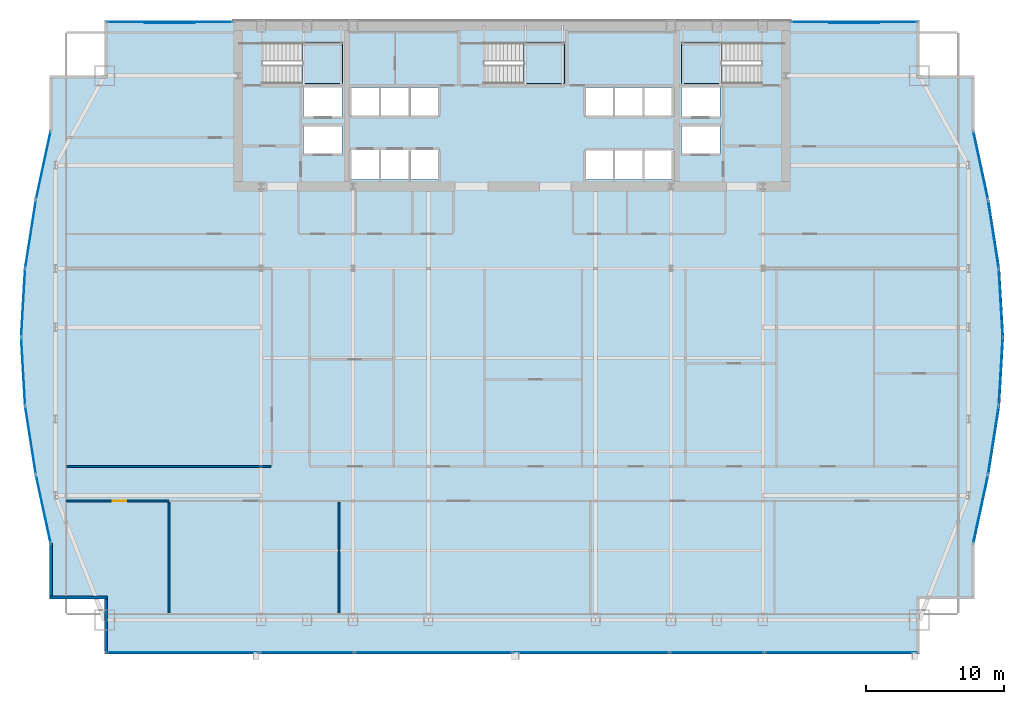
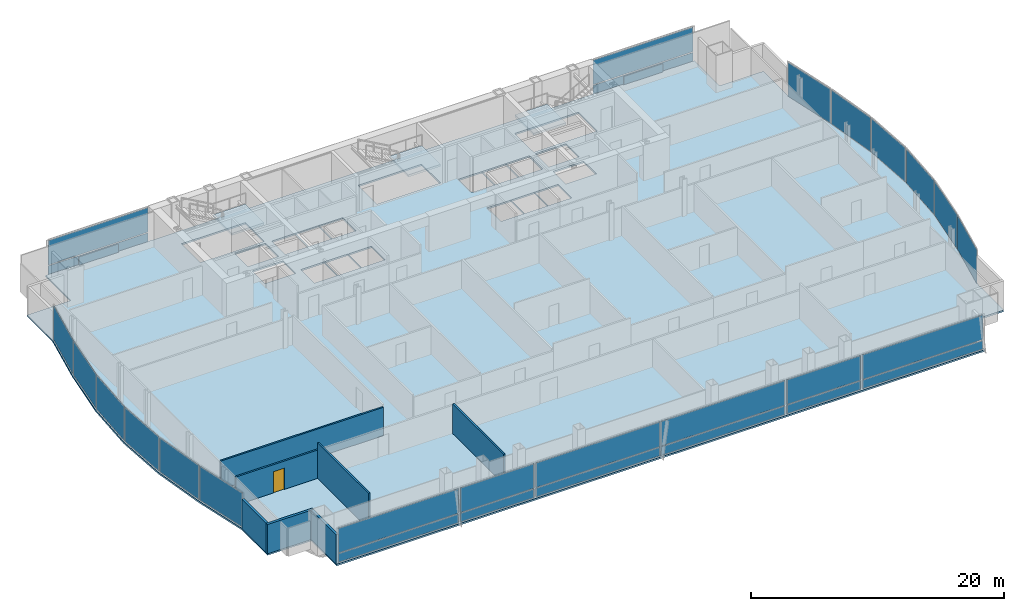
# One storey, part 25 of 32: 30 plates, 7 walls, 4 slabs, 1 door, 1 opening, 22 elements without a shape of their own.
"""IFC4 building model written with IfcOpenShell, lengths in metres."""

from ifc_helpers import new_model, si_unit, direction, frame, frame_2d, origin, origin_2d, place, context, subcontext, project, spatial, polyline, rectangle, outline, extrude, material, layer, layer_set, type_object, element, fill, aggregate, save


model = new_model("IFC4")

# Units and contexts
model_context = context("Model", 3, precision=1e-05, world=origin(), true_north=direction((0.0, 1.0)))
body_context = subcontext(model_context, "Body", "Model", "MODEL_VIEW")
ifc_project = project(units=[si_unit("LENGTHUNIT", "METRE"), si_unit("AREAUNIT", "SQUARE_METRE"), si_unit("VOLUMEUNIT", "CUBIC_METRE"), si_unit("PLANEANGLEUNIT", "RADIAN"), si_unit("MASSUNIT", "GRAM", prefix="KILO")], contexts=[model_context])

# Site, building, storey
site_placement = place(None, origin())
site = spatial("IfcSite", under=ifc_project, at=site_placement, CompositionType="ELEMENT")
building_placement = place(site_placement, origin())
building = spatial("IfcBuilding", under=site, at=building_placement, Name="Khoronbel Lancet Exchange", CompositionType="ELEMENT")
storey_placement = place(building_placement, frame((0.0, 0.0, 111.0)))
storey = spatial("IfcBuildingStorey", under=building, at=storey_placement, Name="L26", CompositionType="ELEMENT", Elevation=111.0)

# Curtain wall, plate
ifc_material_1 = material(Name="Low-E Solar Control Insulating Glass", Category="glass")
curtain_wall_type_1 = type_object("IfcCurtainWallType", Name="CW-4", PredefinedType="NOTDEFINED", material=ifc_material_1)
curtain_wall_1_placement = place(storey_placement, origin())
curtain_wall_1 = element("IfcCurtainWall", 1, at=curtain_wall_1_placement, inside=storey, type_object=curtain_wall_type_1, Name="Unitised curtain wall CW-L26-E05", PredefinedType="NOTDEFINED")
ifc_material_2 = material(Name="Bronze-Anodised Aluminium 6063-T6", Category="aluminium")
ifc_layer_1 = layer(ifc_material_2, 0.050048828125, Name="Bronze-Anodised Aluminium 6063-T6")
ifc_layer_set_1 = layer_set([ifc_layer_1], Name="Bronze-Anodised Aluminium 6063-T6")
plate_type_1 = type_object("IfcPlateType", Name="PLT-CSP1", PredefinedType="SHEET", material=ifc_layer_set_1)
plate_1_placement = place(storey_placement, frame((1.470458984375, 23.213134765625, 0.0849609375), z_axis=(0.0, 0.0, 1.0), x_axis=(-0.155483031933, 0.987838563117, 0.0)))
plate_1 = element("IfcPlate", 2, at=plate_1_placement, type_object=plate_type_1, Name="CW4 panel 1.1", PredefinedType="CURTAIN_PANEL", context=body_context, shape_type="SweptSolid", body=[
    extrude(rectangle(XDim=4.904541015625, YDim=0.0380859375, at=origin_2d()), origin(), (0.0, 0.0, 1.0), 3.27001953125),
])
aggregate(curtain_wall_1, [plate_1])

curtain_wall_2_placement = place(storey_placement, origin())
curtain_wall_2 = element("IfcCurtainWall", 3, at=curtain_wall_2_placement, inside=storey, type_object=curtain_wall_type_1, Name="Unitised curtain wall CW-L26-E06", PredefinedType="NOTDEFINED")
plate_2_placement = place(storey_placement, frame((0.933837890625, 28.204833984375, 0.0849609375), z_axis=(0.0, 0.0, 1.0), x_axis=(-0.057515245397, 0.998344628145, 0.0)))
plate_2 = element("IfcPlate", 4, at=plate_2_placement, type_object=plate_type_1, Name="CW4 panel 1.1", PredefinedType="CURTAIN_PANEL", context=body_context, shape_type="SweptSolid", body=[
    extrude(rectangle(XDim=4.8486328125, YDim=0.0380859375, at=origin_2d()), origin(), (0.0, 0.0, 1.0), 3.27001953125),
])
aggregate(curtain_wall_2, [plate_2])

curtain_wall_3_placement = place(storey_placement, origin())
curtain_wall_3 = element("IfcCurtainWall", 5, at=curtain_wall_3_placement, inside=storey, type_object=curtain_wall_type_1, Name="Unitised curtain wall CW-L26-E07", PredefinedType="NOTDEFINED")
plate_3_placement = place(storey_placement, frame((0.933837890625, 33.1953125, 0.0849609375), z_axis=(0.0, 0.0, 1.0), x_axis=(0.057515245397, 0.998344628145, 0.0)))
plate_3 = element("IfcPlate", 6, at=plate_3_placement, type_object=plate_type_1, Name="CW4 panel 1.1", PredefinedType="CURTAIN_PANEL", context=body_context, shape_type="SweptSolid", body=[
    extrude(rectangle(XDim=4.8486328125, YDim=0.0380859375, at=origin_2d()), origin(), (0.0, 0.0, 1.0), 3.27001953125),
])
aggregate(curtain_wall_3, [plate_3])

curtain_wall_4_placement = place(storey_placement, origin())
curtain_wall_4 = element("IfcCurtainWall", 7, at=curtain_wall_4_placement, inside=storey, type_object=curtain_wall_type_1, Name="Unitised curtain wall CW-L26-E08", PredefinedType="NOTDEFINED")
plate_4_placement = place(storey_placement, frame((1.470458984375, 38.18701171875, 0.0849609375), z_axis=(0.0, 0.0, 1.0), x_axis=(0.155483031933, 0.987838563117, 0.0)))
plate_4 = element("IfcPlate", 8, at=plate_4_placement, type_object=plate_type_1, Name="CW4 panel 1.1", PredefinedType="CURTAIN_PANEL", context=body_context, shape_type="SweptSolid", body=[
    extrude(rectangle(XDim=4.904541015625, YDim=0.0380859375, at=origin_2d()), origin(), (0.0, 0.0, 1.0), 3.27001953125),
])
aggregate(curtain_wall_4, [plate_4])

curtain_wall_type_2 = type_object("IfcCurtainWallType", Name="CW-2", PredefinedType="NOTDEFINED", material=ifc_material_1)
curtain_wall_5_placement = place(storey_placement, origin())
curtain_wall_5 = element("IfcCurtainWall", 9, at=curtain_wall_5_placement, inside=storey, type_object=curtain_wall_type_2, Name="Unitised curtain wall CW-L26-NWFLK", PredefinedType="NOTDEFINED")
plate_5_placement = place(storey_placement, frame((11.580078125, 53.550048828125, 0.0498046875), z_axis=(0.0, 0.0, 1.0), x_axis=(-1.0, 0.0, 0.0)))
plate_5 = element("IfcPlate", 10, at=plate_5_placement, type_object=plate_type_1, Name="Insulated bronze spandrel cassette CW-L26-NWFLK", PredefinedType="SHEET", context=body_context, shape_type="SweptSolid", body=[
    extrude(rectangle(XDim=3.60009765625, YDim=0.050048828125, at=origin_2d()), origin(), (0.0, 0.0, 1.0), 0.800048828125),
])

curtain_wall_6_placement = place(storey_placement, origin())
curtain_wall_6 = element("IfcCurtainWall", 11, at=curtain_wall_6_placement, inside=storey, type_object=curtain_wall_type_2, Name="Unitised curtain wall CW-L26-NEFLK", PredefinedType="NOTDEFINED")
plate_6_placement = place(storey_placement, frame((61.320068359375, 53.550048828125, 0.0498046875), z_axis=(0.0, 0.0, 1.0), x_axis=(-1.0, 0.0, 0.0)))
plate_6 = element("IfcPlate", 12, at=plate_6_placement, type_object=plate_type_1, Name="Insulated bronze spandrel cassette CW-L26-NEFLK", PredefinedType="SHEET", context=body_context, shape_type="SweptSolid", body=[
    extrude(rectangle(XDim=3.60009765625, YDim=0.050048828125, at=origin_2d()), origin(), (0.0, 0.0, 1.0), 0.800048828125),
])

curtain_wall_7_placement = place(storey_placement, origin())
curtain_wall_7 = element("IfcCurtainWall", 13, at=curtain_wall_7_placement, inside=storey, type_object=curtain_wall_type_1, Name="Unitised curtain wall CW-L26-E18", PredefinedType="NOTDEFINED")
plate_7_placement = place(storey_placement, frame((71.429443359375, 38.18701171875, 0.0849609375), z_axis=(0.0, 0.0, 1.0), x_axis=(0.155483031933, -0.987838563117, 0.0)))
plate_7 = element("IfcPlate", 14, at=plate_7_placement, type_object=plate_type_1, Name="CW4 panel 1.1", PredefinedType="CURTAIN_PANEL", context=body_context, shape_type="SweptSolid", body=[
    extrude(rectangle(XDim=4.904541015625, YDim=0.0380859375, at=origin_2d()), origin(), (0.0, 0.0, 1.0), 3.27001953125),
])
aggregate(curtain_wall_7, [plate_7])

curtain_wall_8_placement = place(storey_placement, origin())
curtain_wall_8 = element("IfcCurtainWall", 15, at=curtain_wall_8_placement, inside=storey, type_object=curtain_wall_type_1, Name="Unitised curtain wall CW-L26-E19", PredefinedType="NOTDEFINED")
plate_8_placement = place(storey_placement, frame((71.966064453125, 33.1953125, 0.0849609375), z_axis=(0.0, 0.0, 1.0), x_axis=(0.057515245397, -0.998344628145, 0.0)))
plate_8 = element("IfcPlate", 16, at=plate_8_placement, type_object=plate_type_1, Name="CW4 panel 1.1", PredefinedType="CURTAIN_PANEL", context=body_context, shape_type="SweptSolid", body=[
    extrude(rectangle(XDim=4.8486328125, YDim=0.0380859375, at=origin_2d()), origin(), (0.0, 0.0, 1.0), 3.27001953125),
])
aggregate(curtain_wall_8, [plate_8])

curtain_wall_9_placement = place(storey_placement, origin())
curtain_wall_9 = element("IfcCurtainWall", 17, at=curtain_wall_9_placement, inside=storey, type_object=curtain_wall_type_1, Name="Unitised curtain wall CW-L26-E20", PredefinedType="NOTDEFINED")
plate_9_placement = place(storey_placement, frame((71.966064453125, 28.204833984375, 0.0849609375), z_axis=(0.0, 0.0, 1.0), x_axis=(-0.057515245397, -0.998344628145, 0.0)))
plate_9 = element("IfcPlate", 18, at=plate_9_placement, type_object=plate_type_1, Name="CW4 panel 1.1", PredefinedType="CURTAIN_PANEL", context=body_context, shape_type="SweptSolid", body=[
    extrude(rectangle(XDim=4.8486328125, YDim=0.0380859375, at=origin_2d()), origin(), (0.0, 0.0, 1.0), 3.27001953125),
])
aggregate(curtain_wall_9, [plate_9])

curtain_wall_10_placement = place(storey_placement, origin())
curtain_wall_10 = element("IfcCurtainWall", 19, at=curtain_wall_10_placement, inside=storey, type_object=curtain_wall_type_1, Name="Unitised curtain wall CW-L26-E21", PredefinedType="NOTDEFINED")
plate_10_placement = place(storey_placement, frame((71.429443359375, 23.213134765625, 0.0849609375), z_axis=(0.0, 0.0, 1.0), x_axis=(-0.155483031933, -0.987838563117, 0.0)))
plate_10 = element("IfcPlate", 20, at=plate_10_placement, type_object=plate_type_1, Name="CW4 panel 1.1", PredefinedType="CURTAIN_PANEL", context=body_context, shape_type="SweptSolid", body=[
    extrude(rectangle(XDim=4.904541015625, YDim=0.0380859375, at=origin_2d()), origin(), (0.0, 0.0, 1.0), 3.27001953125),
])
aggregate(curtain_wall_10, [plate_10])

# Curtain wall, plates
curtain_wall_11_placement = place(storey_placement, origin())
curtain_wall_11 = element("IfcCurtainWall", 21, at=curtain_wall_11_placement, inside=storey, type_object=curtain_wall_type_2, Name="Unitised curtain wall CW-L26-SWB", PredefinedType="NOTDEFINED")
plate_11_placement = place(storey_placement, frame((21.550048828125, 7.7900390625, 0.0849609375), z_axis=(0.0, 0.0, 1.0), x_axis=(1.0, 0.0, 0.0)))
plate_11 = element("IfcPlate", 22, at=plate_11_placement, type_object=plate_type_1, Name="CW2 panel 1.1", PredefinedType="CURTAIN_PANEL", context=body_context, shape_type="SweptSolid", body=[
    extrude(rectangle(XDim=6.72998046875, YDim=0.0380859375, at=origin_2d()), origin(), (0.0, 0.0, 1.0), 0.822509765625),
])
plate_12_placement = place(storey_placement, frame((21.550048828125, 7.7900390625, 0.99267578125), z_axis=(0.0, 0.0, 1.0), x_axis=(1.0, 0.0, 0.0)))
plate_12 = element("IfcPlate", 23, at=plate_12_placement, type_object=plate_type_1, Name="CW2 panel 1.2", PredefinedType="CURTAIN_PANEL", context=body_context, shape_type="SweptSolid", body=[
    extrude(rectangle(XDim=6.72998046875, YDim=0.0380859375, at=origin_2d()), origin(), (0.0, 0.0, 1.0), 2.362548828125),
])
aggregate(curtain_wall_11, [plate_11, plate_12])

curtain_wall_12_placement = place(storey_placement, origin())
curtain_wall_12 = element("IfcCurtainWall", 24, at=curtain_wall_12_placement, inside=storey, type_object=curtain_wall_type_2, Name="Unitised curtain wall CW-L26-SEB", PredefinedType="NOTDEFINED")
plate_13_placement = place(storey_placement, frame((51.35009765625, 7.7900390625, 0.0849609375), z_axis=(0.0, 0.0, 1.0), x_axis=(1.0, 0.0, 0.0)))
plate_13 = element("IfcPlate", 25, at=plate_13_placement, type_object=plate_type_1, Name="CW2 panel 1.1", PredefinedType="CURTAIN_PANEL", context=body_context, shape_type="SweptSolid", body=[
    extrude(rectangle(XDim=6.72998046875, YDim=0.0380859375, at=origin_2d()), origin(), (0.0, 0.0, 1.0), 0.822509765625),
])
plate_14_placement = place(storey_placement, frame((51.35009765625, 7.7900390625, 0.99267578125), z_axis=(0.0, 0.0, 1.0), x_axis=(1.0, 0.0, 0.0)))
plate_14 = element("IfcPlate", 26, at=plate_14_placement, type_object=plate_type_1, Name="CW2 panel 1.2", PredefinedType="CURTAIN_PANEL", context=body_context, shape_type="SweptSolid", body=[
    extrude(rectangle(XDim=6.72998046875, YDim=0.0380859375, at=origin_2d()), origin(), (0.0, 0.0, 1.0), 2.362548828125),
])
aggregate(curtain_wall_12, [plate_13, plate_14])

# Plate
ifc_layer_2 = layer(ifc_material_1, 0.035888671875, Name="Low-E Solar Control Insulating Glass")
ifc_layer_set_2 = layer_set([ifc_layer_2], Name="Low-E Solar Control Insulating Glass")
plate_type_2 = type_object("IfcPlateType", Name="PLT-CWP1", PredefinedType="CURTAIN_PANEL", material=ifc_layer_set_2)
plate_15_placement = place(storey_placement, frame((11.580078125, 53.610107421875, 0.0849609375), z_axis=(0.0, 0.0, 1.0), x_axis=(-1.0, 0.0, 0.0)))
plate_15 = element("IfcPlate", 27, at=plate_15_placement, type_object=plate_type_2, Name="CW2 panel 1.1", PredefinedType="CURTAIN_PANEL", context=body_context, shape_type="SweptSolid", body=[
    extrude(rectangle(XDim=9.110107421875, YDim=0.0380859375, at=origin_2d()), origin(), (0.0, 0.0, 1.0), 0.822509765625),
])

plate_16_placement = place(storey_placement, frame((11.580078125, 53.610107421875, 0.99267578125), z_axis=(0.0, 0.0, 1.0), x_axis=(-1.0, 0.0, 0.0)))
plate_16 = element("IfcPlate", 28, at=plate_16_placement, type_object=plate_type_2, Name="CW2 panel 1.2", PredefinedType="CURTAIN_PANEL", context=body_context, shape_type="SweptSolid", body=[
    extrude(rectangle(XDim=9.110107421875, YDim=0.0380859375, at=origin_2d()), origin(), (0.0, 0.0, 1.0), 2.362548828125),
])

aggregate(curtain_wall_5, [plate_15, plate_16, plate_5])

plate_17_placement = place(storey_placement, frame((61.320068359375, 53.610107421875, 0.0849609375), z_axis=(0.0, 0.0, 1.0), x_axis=(-1.0, 0.0, 0.0)))
plate_17 = element("IfcPlate", 29, at=plate_17_placement, type_object=plate_type_2, Name="CW2 panel 1.1", PredefinedType="CURTAIN_PANEL", context=body_context, shape_type="SweptSolid", body=[
    extrude(rectangle(XDim=9.110107421875, YDim=0.0380859375, at=origin_2d()), origin(), (0.0, 0.0, 1.0), 0.822509765625),
])

plate_18_placement = place(storey_placement, frame((61.320068359375, 53.610107421875, 0.99267578125), z_axis=(0.0, 0.0, 1.0), x_axis=(-1.0, 0.0, 0.0)))
plate_18 = element("IfcPlate", 30, at=plate_18_placement, type_object=plate_type_2, Name="CW2 panel 1.2", PredefinedType="CURTAIN_PANEL", context=body_context, shape_type="SweptSolid", body=[
    extrude(rectangle(XDim=9.110107421875, YDim=0.0380859375, at=origin_2d()), origin(), (0.0, 0.0, 1.0), 2.362548828125),
])

aggregate(curtain_wall_6, [plate_17, plate_18, plate_6])

# Curtain wall, plates
curtain_wall_13_placement = place(storey_placement, origin())
curtain_wall_13 = element("IfcCurtainWall", 31, at=curtain_wall_13_placement, inside=storey, type_object=curtain_wall_type_2, Name="Unitised curtain wall CW-L26-SWV", PredefinedType="NOTDEFINED")
plate_19_placement = place(storey_placement, frame((12.52001953125, 7.7900390625, 0.0849609375), z_axis=(0.0, 0.0, 1.0), x_axis=(1.0, 0.0, 0.0)))
plate_19 = element("IfcPlate", 32, at=plate_19_placement, type_object=plate_type_2, Name="CW2 panel 1.1", PredefinedType="CURTAIN_PANEL", context=body_context, shape_type="SweptSolid", body=[
    extrude(rectangle(XDim=10.989990234375, YDim=0.0380859375, at=origin_2d()), origin(), (0.0, 0.0, 1.0), 0.822509765625),
])
plate_20_placement = place(storey_placement, frame((12.52001953125, 7.7900390625, 0.99267578125), z_axis=(0.0, 0.0, 1.0), x_axis=(1.0, 0.0, 0.0)))
plate_20 = element("IfcPlate", 33, at=plate_20_placement, type_object=plate_type_2, Name="CW2 panel 1.2", PredefinedType="CURTAIN_PANEL", context=body_context, shape_type="SweptSolid", body=[
    extrude(rectangle(XDim=10.989990234375, YDim=0.0380859375, at=origin_2d()), origin(), (0.0, 0.0, 1.0), 2.362548828125),
])
aggregate(curtain_wall_13, [plate_19, plate_20])

curtain_wall_14_placement = place(storey_placement, origin())
curtain_wall_14 = element("IfcCurtainWall", 34, at=curtain_wall_14_placement, inside=storey, type_object=curtain_wall_type_2, Name="Unitised curtain wall CW-L26-SCV", PredefinedType="NOTDEFINED")
plate_21_placement = place(storey_placement, frame((30.746337890625, 7.7900390625, 0.0849609375), z_axis=(0.0, 0.0, 1.0), x_axis=(1.0, 0.0, 0.0)))
plate_21 = element("IfcPlate", 35, at=plate_21_placement, type_object=plate_type_2, Name="CW2 panel 1.1", PredefinedType="CURTAIN_PANEL", context=body_context, shape_type="SweptSolid", body=[
    extrude(rectangle(XDim=11.322509765625, YDim=0.0380859375, at=origin_2d()), origin(), (0.0, 0.0, 1.0), 0.822509765625),
])
plate_22_placement = place(storey_placement, frame((30.746337890625, 7.7900390625, 0.99267578125), z_axis=(0.0, 0.0, 1.0), x_axis=(1.0, 0.0, 0.0)))
plate_22 = element("IfcPlate", 36, at=plate_22_placement, type_object=plate_type_2, Name="CW2 panel 1.2", PredefinedType="CURTAIN_PANEL", context=body_context, shape_type="SweptSolid", body=[
    extrude(rectangle(XDim=11.322509765625, YDim=0.0380859375, at=origin_2d()), origin(), (0.0, 0.0, 1.0), 2.362548828125),
])
plate_23_placement = place(storey_placement, frame((42.15380859375, 7.7900390625, 0.0849609375), z_axis=(0.0, 0.0, 1.0), x_axis=(1.0, 0.0, 0.0)))
plate_23 = element("IfcPlate", 37, at=plate_23_placement, type_object=plate_type_2, Name="CW2 panel 2.1", PredefinedType="CURTAIN_PANEL", context=body_context, shape_type="SweptSolid", body=[
    extrude(rectangle(XDim=11.322509765625, YDim=0.0380859375, at=origin_2d()), origin(), (0.0, 0.0, 1.0), 0.822509765625),
])
plate_24_placement = place(storey_placement, frame((42.15380859375, 7.7900390625, 0.99267578125), z_axis=(0.0, 0.0, 1.0), x_axis=(1.0, 0.0, 0.0)))
plate_24 = element("IfcPlate", 38, at=plate_24_placement, type_object=plate_type_2, Name="CW2 panel 2.2", PredefinedType="CURTAIN_PANEL", context=body_context, shape_type="SweptSolid", body=[
    extrude(rectangle(XDim=11.322509765625, YDim=0.0380859375, at=origin_2d()), origin(), (0.0, 0.0, 1.0), 2.362548828125),
])
aggregate(curtain_wall_14, [plate_21, plate_22, plate_23, plate_24])

curtain_wall_15_placement = place(storey_placement, origin())
curtain_wall_15 = element("IfcCurtainWall", 39, at=curtain_wall_15_placement, inside=storey, type_object=curtain_wall_type_2, Name="Unitised curtain wall CW-L26-SEV", PredefinedType="NOTDEFINED")
plate_25_placement = place(storey_placement, frame((60.3798828125, 7.7900390625, 0.0849609375), z_axis=(0.0, 0.0, 1.0), x_axis=(1.0, 0.0, 0.0)))
plate_25 = element("IfcPlate", 40, at=plate_25_placement, type_object=plate_type_2, Name="CW2 panel 1.1", PredefinedType="CURTAIN_PANEL", context=body_context, shape_type="SweptSolid", body=[
    extrude(rectangle(XDim=10.989990234375, YDim=0.0380859375, at=origin_2d()), origin(), (0.0, 0.0, 1.0), 0.822509765625),
])
plate_26_placement = place(storey_placement, frame((60.3798828125, 7.7900390625, 0.99267578125), z_axis=(0.0, 0.0, 1.0), x_axis=(1.0, 0.0, 0.0)))
plate_26 = element("IfcPlate", 41, at=plate_26_placement, type_object=plate_type_2, Name="CW2 panel 1.2", PredefinedType="CURTAIN_PANEL", context=body_context, shape_type="SweptSolid", body=[
    extrude(rectangle(XDim=10.989990234375, YDim=0.0380859375, at=origin_2d()), origin(), (0.0, 0.0, 1.0), 2.362548828125),
])
aggregate(curtain_wall_15, [plate_25, plate_26])

# Curtain wall, plate
curtain_wall_16_placement = place(storey_placement, origin())
curtain_wall_16 = element("IfcCurtainWall", 42, at=curtain_wall_16_placement, inside=storey, type_object=curtain_wall_type_1, Name="Unitised curtain wall CW-L26-E04", PredefinedType="NOTDEFINED")
ifc_material_3 = material(Name="Ceramic-Fritted Laminated Insulating Glass", Category="glass")
ifc_layer_3 = layer(ifc_material_3, 0.0419921875, Name="Ceramic-Fritted Laminated Insulating Glass")
ifc_layer_set_3 = layer_set([ifc_layer_3], Name="Ceramic-Fritted Laminated Insulating Glass")
plate_type_3 = type_object("IfcPlateType", Name="PLT-CWP2", PredefinedType="CURTAIN_PANEL", material=ifc_layer_set_3)
plate_27_placement = place(storey_placement, frame((2.40185546875, 18.213134765625, 0.0849609375), z_axis=(0.0, 0.0, 1.0), x_axis=(-0.210199789006, 0.977658451967, 0.0)))
plate_27 = element("IfcPlate", 43, at=plate_27_placement, type_object=plate_type_3, Name="CW4 panel 1.1", PredefinedType="CURTAIN_PANEL", context=body_context, shape_type="SweptSolid", body=[
    extrude(rectangle(XDim=4.971435546875, YDim=0.0380859375, at=origin_2d()), origin(), (0.0, 0.0, 1.0), 3.27001953125),
])
aggregate(curtain_wall_16, [plate_27])

curtain_wall_17_placement = place(storey_placement, origin())
curtain_wall_17 = element("IfcCurtainWall", 44, at=curtain_wall_17_placement, inside=storey, type_object=curtain_wall_type_1, Name="Unitised curtain wall CW-L26-E09", PredefinedType="NOTDEFINED")
plate_28_placement = place(storey_placement, frame((2.40185546875, 43.18701171875, 0.0849609375), z_axis=(0.0, 0.0, 1.0), x_axis=(0.210199789006, 0.977658451967, 0.0)))
plate_28 = element("IfcPlate", 45, at=plate_28_placement, type_object=plate_type_3, Name="CW4 panel 1.1", PredefinedType="CURTAIN_PANEL", context=body_context, shape_type="SweptSolid", body=[
    extrude(rectangle(XDim=4.971435546875, YDim=0.0380859375, at=origin_2d()), origin(), (0.0, 0.0, 1.0), 3.27001953125),
])
aggregate(curtain_wall_17, [plate_28])

curtain_wall_18_placement = place(storey_placement, origin())
curtain_wall_18 = element("IfcCurtainWall", 46, at=curtain_wall_18_placement, inside=storey, type_object=curtain_wall_type_1, Name="Unitised curtain wall CW-L26-E17", PredefinedType="NOTDEFINED")
plate_29_placement = place(storey_placement, frame((70.498291015625, 43.18701171875, 0.0849609375), z_axis=(0.0, 0.0, 1.0), x_axis=(0.210199789006, -0.977658451967, 0.0)))
plate_29 = element("IfcPlate", 47, at=plate_29_placement, type_object=plate_type_3, Name="CW4 panel 1.1", PredefinedType="CURTAIN_PANEL", context=body_context, shape_type="SweptSolid", body=[
    extrude(rectangle(XDim=4.971435546875, YDim=0.0380859375, at=origin_2d()), origin(), (0.0, 0.0, 1.0), 3.27001953125),
])
aggregate(curtain_wall_18, [plate_29])

curtain_wall_19_placement = place(storey_placement, origin())
curtain_wall_19 = element("IfcCurtainWall", 48, at=curtain_wall_19_placement, inside=storey, type_object=curtain_wall_type_1, Name="Unitised curtain wall CW-L26-E22", PredefinedType="NOTDEFINED")
plate_30_placement = place(storey_placement, frame((70.498291015625, 18.213134765625, 0.0849609375), z_axis=(0.0, 0.0, 1.0), x_axis=(-0.210199789006, -0.977658451967, 0.0)))
plate_30 = element("IfcPlate", 49, at=plate_30_placement, type_object=plate_type_3, Name="CW4 panel 1.1", PredefinedType="CURTAIN_PANEL", context=body_context, shape_type="SweptSolid", body=[
    extrude(rectangle(XDim=4.971435546875, YDim=0.0380859375, at=origin_2d()), origin(), (0.0, 0.0, 1.0), 3.27001953125),
])
aggregate(curtain_wall_19, [plate_30])

# Slab
ifc_material_4 = material(Name="Concrete C40/50", Category="concrete")
ifc_layer_4 = layer(ifc_material_4, 0.159912109375, Name="Concrete C40/50")
ifc_layer_set_4 = layer_set([ifc_layer_4], Name="Concrete C40/50")
slab_type_1 = type_object("IfcSlabType", Name="SL-FL160", PredefinedType="FLOOR", material=ifc_layer_set_4)
slab_1_placement = place(storey_placement, frame((0.0, 0.0, -0.159912109375)))
element("IfcSlab", 50, at=slab_1_placement, inside=storey, type_object=slab_type_1, Name="Level L26 composite structural floor slab", PredefinedType="FLOOR", context=body_context, shape_type="SweptSolid", body=[
    extrude(outline(polyline([(6.85009765625, 7.699951171875), (66.050048828125, 7.699951171875), (66.050048828125, 11.699951171875), (70.050048828125, 11.699951171875), (70.050048828125, 15.699951171875), (71.125, 20.699951171875), (71.912109375, 25.699951171875), (72.199951171875, 30.699951171875), (71.912109375, 35.699951171875), (71.125, 40.699951171875), (70.050048828125, 45.699951171875), (70.050048828125, 49.699951171875), (66.050048828125, 49.699951171875), (66.050048828125, 53.699951171875), (6.85009765625, 53.699951171875), (6.85009765625, 49.699951171875), (2.85009765625, 49.699951171875), (2.85009765625, 45.699951171875), (1.77490234375, 40.699951171875), (0.988037109375, 35.699951171875), (0.699951171875, 30.699951171875), (0.988037109375, 25.699951171875), (1.77490234375, 20.699951171875), (2.85009765625, 15.699951171875), (2.85009765625, 11.699951171875), (6.85009765625, 11.699951171875), (6.85009765625, 7.699951171875)]), holes=[polyline([(18.324951171875, 49.1201171875), (24.14990234375, 49.1201171875), (24.14990234375, 52.10009765625), (18.324951171875, 52.10009765625), (18.324951171875, 49.1201171875)]), polyline([(48.75, 49.1201171875), (54.574951171875, 49.1201171875), (54.574951171875, 52.10009765625), (48.75, 52.10009765625), (48.75, 49.1201171875)]), polyline([(34.425048828125, 49.1201171875), (40.25, 49.1201171875), (40.25, 52.10009765625), (34.425048828125, 52.10009765625), (34.425048828125, 49.1201171875)]), polyline([(24.699951171875, 46.75), (26.840087890625, 46.75), (26.840087890625, 48.85009765625), (24.699951171875, 48.85009765625), (24.699951171875, 46.75)]), polyline([(26.860107421875, 46.75), (29.0, 46.75), (29.0, 48.85009765625), (26.860107421875, 48.85009765625), (26.860107421875, 46.75)]), polyline([(29.02001953125, 46.75), (31.159912109375, 46.75), (31.159912109375, 48.85009765625), (29.02001953125, 48.85009765625), (29.02001953125, 46.75)]), polyline([(24.699951171875, 42.14990234375), (26.840087890625, 42.14990234375), (26.840087890625, 44.300048828125), (24.699951171875, 44.300048828125), (24.699951171875, 42.14990234375)]), polyline([(26.860107421875, 42.14990234375), (29.0, 42.14990234375), (29.0, 44.300048828125), (26.860107421875, 44.300048828125), (26.860107421875, 42.14990234375)]), polyline([(29.02001953125, 42.14990234375), (31.159912109375, 42.14990234375), (31.159912109375, 44.300048828125), (29.02001953125, 44.300048828125), (29.02001953125, 42.14990234375)]), polyline([(41.739990234375, 46.75), (43.8798828125, 46.75), (43.8798828125, 48.85009765625), (41.739990234375, 48.85009765625), (41.739990234375, 46.75)]), polyline([(43.89990234375, 46.75), (46.0400390625, 46.75), (46.0400390625, 48.85009765625), (43.89990234375, 48.85009765625), (43.89990234375, 46.75)]), polyline([(46.06005859375, 46.75), (48.199951171875, 46.75), (48.199951171875, 48.85009765625), (46.06005859375, 48.85009765625), (46.06005859375, 46.75)]), polyline([(41.739990234375, 42.14990234375), (43.8798828125, 42.14990234375), (43.8798828125, 44.300048828125), (41.739990234375, 44.300048828125), (41.739990234375, 42.14990234375)]), polyline([(43.89990234375, 42.14990234375), (46.0400390625, 42.14990234375), (46.0400390625, 44.300048828125), (43.89990234375, 44.300048828125), (43.89990234375, 42.14990234375)]), polyline([(46.06005859375, 42.14990234375), (48.199951171875, 42.14990234375), (48.199951171875, 44.300048828125), (46.06005859375, 44.300048828125), (46.06005859375, 42.14990234375)]), polyline([(21.300048828125, 46.75), (24.10009765625, 46.75), (24.10009765625, 48.85009765625), (21.300048828125, 48.85009765625), (21.300048828125, 46.75)]), polyline([(48.75, 46.75), (51.550048828125, 46.75), (51.550048828125, 48.85009765625), (48.75, 48.85009765625), (48.75, 46.75)]), polyline([(21.300048828125, 44.050048828125), (24.10009765625, 44.050048828125), (24.10009765625, 46.050048828125), (21.300048828125, 46.050048828125), (21.300048828125, 44.050048828125)]), polyline([(48.75, 44.050048828125), (51.550048828125, 44.050048828125), (51.550048828125, 46.050048828125), (48.75, 46.050048828125), (48.75, 44.050048828125)])]), origin(), (0.0, 0.0, 1.0), 0.159912109375),
])

# Stair, slab
stair_type = type_object("IfcStairType", Name="STR-CORE150", PredefinedType="HALF_TURN_STAIR", material=ifc_material_4)
stair_1_placement = place(storey_placement, origin())
stair_1 = element("IfcStair", 51, at=stair_1_placement, inside=storey, type_object=stair_type, Name="L26 Protected Exit Stair ST1", PredefinedType="HALF_TURN_STAIR")
ifc_layer_5 = layer(ifc_material_4, 0.199951171875, Name="Concrete C40/50")
ifc_layer_set_5 = layer_set([ifc_layer_5], Name="Concrete C40/50")
slab_type_2 = type_object("IfcSlabType", Name="SL-LND180", PredefinedType="LANDING", material=ifc_layer_set_5)
slab_2_placement = place(storey_placement, frame((0.0, 0.0, 1.60009765625)))
slab_2 = element("IfcSlab", 52, at=slab_2_placement, type_object=slab_type_2, Name="ST1 landing 1", PredefinedType="LANDING", context=body_context, shape_type="SweptSolid", body=[
    extrude(outline(polyline([(21.199951171875, 49.1201171875), (24.14990234375, 49.1201171875), (24.14990234375, 52.10009765625), (21.199951171875, 52.10009765625), (21.199951171875, 49.1201171875)])), origin(), (0.0, 0.0, 1.0), 0.199951171875),
])
aggregate(stair_1, [slab_2])

stair_2_placement = place(storey_placement, origin())
stair_2 = element("IfcStair", 53, at=stair_2_placement, inside=storey, type_object=stair_type, Name="L26 Protected Exit Stair ST2", PredefinedType="HALF_TURN_STAIR")
slab_3_placement = place(storey_placement, frame((0.0, 0.0, 1.60009765625)))
slab_3 = element("IfcSlab", 54, at=slab_3_placement, type_object=slab_type_2, Name="ST2 landing 1", PredefinedType="LANDING", context=body_context, shape_type="SweptSolid", body=[
    extrude(outline(polyline([(51.699951171875, 52.10009765625), (48.75, 52.10009765625), (48.75, 49.1201171875), (51.699951171875, 49.1201171875), (51.699951171875, 52.10009765625)])), origin(), (0.0, 0.0, 1.0), 0.199951171875),
])
aggregate(stair_2, [slab_3])

stair_3_placement = place(storey_placement, origin())
stair_3 = element("IfcStair", 55, at=stair_3_placement, inside=storey, type_object=stair_type, Name="L26 Protected Exit Stair ST3", PredefinedType="HALF_TURN_STAIR")
slab_4_placement = place(storey_placement, frame((0.0, 0.0, 1.60009765625)))
slab_4 = element("IfcSlab", 56, at=slab_4_placement, type_object=slab_type_2, Name="ST3 landing 1", PredefinedType="LANDING", context=body_context, shape_type="SweptSolid", body=[
    extrude(outline(polyline([(37.300048828125, 49.1201171875), (40.25, 49.1201171875), (40.25, 52.10009765625), (37.300048828125, 52.10009765625), (37.300048828125, 49.1201171875)])), origin(), (0.0, 0.0, 1.0), 0.199951171875),
])
aggregate(stair_3, [slab_4])

# Walls
ifc_material_5 = material(Name="Precast concrete C40/50", Category="concrete")
ifc_layer_6 = layer(ifc_material_5, 0.25, Name="Precast concrete C40/50")
ifc_layer_set_6 = layer_set([ifc_layer_6], Name="Precast concrete C40/50")
wall_type_1 = type_object("IfcWallType", Name="WL-EXT250", PredefinedType="SOLIDWALL", material=ifc_layer_set_6)
wall_1_placement = place(storey_placement, frame((6.93994140625, 7.77001953125, 0.0), z_axis=(0.0, 0.0, 1.0), x_axis=(0.0, 1.0, 0.0)))
element("IfcWall", 57, at=wall_1_placement, inside=storey, type_object=wall_type_1, Name="Level L26 notched-corner limestone pier 01", PredefinedType="SOLIDWALL", context=body_context, shape_type="SweptSolid", body=[
    extrude(rectangle(XDim=3.909912109375, YDim=0.219970703125, at=frame_2d((1.955078125, 0.0))), origin(), (0.0, 0.0, 1.0), 2.830078125),
])
wall_2_placement = place(storey_placement, frame((7.050048828125, 11.7900390625, 0.0), z_axis=(0.0, 0.0, 1.0), x_axis=(-1.0, 0.0, 0.0)))
element("IfcWall", 58, at=wall_2_placement, inside=storey, type_object=wall_type_1, Name="Level L26 notched-corner limestone pier 02", PredefinedType="SOLIDWALL", context=body_context, shape_type="SweptSolid", body=[
    extrude(rectangle(XDim=4.219970703125, YDim=0.219970703125, at=frame_2d((2.10986328125, 0.0))), origin(), (0.0, 0.0, 1.0), 2.830078125),
])
wall_3_placement = place(storey_placement, frame((2.93994140625, 11.89990234375, 0.0), z_axis=(0.0, 0.0, 1.0), x_axis=(0.0, 1.0, 0.0)))
element("IfcWall", 59, at=wall_3_placement, inside=storey, type_object=wall_type_1, Name="Level L26 notched-corner limestone pier 03", PredefinedType="SOLIDWALL", context=body_context, shape_type="SweptSolid", body=[
    extrude(rectangle(XDim=3.82958984375, YDim=0.219970703125, at=frame_2d((1.914794921875, 0.0))), origin(), (0.0, 0.0, 1.0), 2.830078125),
])
ifc_material_6 = material(Name="Fire-Rated Twin-Stud Acoustic Gypsum Partition 150 mm", Category="gypsum")
ifc_layer_7 = layer(ifc_material_6, 0.14990234375, Name="Fire-Rated Twin-Stud Acoustic Gypsum Partition 150 mm")
ifc_layer_set_7 = layer_set([ifc_layer_7], Name="Fire-Rated Twin-Stud Acoustic Gypsum Partition 150 mm")
wall_type_2 = type_object("IfcWallType", Name="WL-PRT150C", PredefinedType="PARTITIONING", material=ifc_layer_set_7)
wall_4_placement = place(storey_placement, frame((11.54150390625, 10.6650390625, 0.0), z_axis=(0.0, 0.0, 1.0), x_axis=(0.0, 1.0, 0.0)))
element("IfcWall", 60, at=wall_4_placement, inside=storey, type_object=wall_type_2, Name="Level L26 interior partition PW-Z2S-V1", PredefinedType="PARTITIONING", context=body_context, shape_type="SweptSolid", body=[
    extrude(rectangle(XDim=8.050048828125, YDim=0.14990234375, at=frame_2d((4.02490234375, 0.0))), origin(), (0.0, 0.0, 1.0), 3.43994140625),
])
wall_5_placement = place(storey_placement, frame((23.87841796875, 10.6650390625, 0.0), z_axis=(0.0, 0.0, 1.0), x_axis=(0.0, 1.0, 0.0)))
element("IfcWall", 61, at=wall_5_placement, inside=storey, type_object=wall_type_2, Name="Level L26 interior partition PW-Z2S-V2", PredefinedType="PARTITIONING", context=body_context, shape_type="SweptSolid", body=[
    extrude(rectangle(XDim=8.050048828125, YDim=0.14990234375, at=frame_2d((4.02490234375, 0.0))), origin(), (0.0, 0.0, 1.0), 2.8798828125),
])
wall_6_placement = place(storey_placement, frame((4.094970703125, 21.300048828125, 0.0), z_axis=(0.0, 0.0, 1.0), x_axis=(1.0, 0.0, 0.0)))
element("IfcWall", 62, at=wall_6_placement, inside=storey, type_object=wall_type_2, Name="Level L26 interior partition PW-Z2-WS", PredefinedType="PARTITIONING", context=body_context, shape_type="SweptSolid", body=[
    extrude(rectangle(XDim=14.844970703125, YDim=0.14990234375, at=frame_2d((7.42236328125, 0.0))), origin(), (0.0, 0.0, 1.0), 2.72998046875),
])

# Wall, opening, door
ifc_material_7 = material(Name="Fire-Rated Twin-Stud Acoustic Gypsum Partition 160 mm", Category="gypsum")
ifc_layer_8 = layer(ifc_material_7, 0.159912109375, Name="Fire-Rated Twin-Stud Acoustic Gypsum Partition 160 mm")
ifc_layer_set_8 = layer_set([ifc_layer_8], Name="Fire-Rated Twin-Stud Acoustic Gypsum Partition 160 mm")
wall_type_3 = type_object("IfcWallType", Name="WL-PRT160C", PredefinedType="PARTITIONING", material=ifc_layer_set_8)
wall_7_placement = place(storey_placement, frame((4.030029296875, 18.800048828125, 0.0), z_axis=(0.0, 0.0, 1.0), x_axis=(1.0, 0.0, 0.0)))
wall_7 = element("IfcWall", 63, at=wall_7_placement, inside=storey, type_object=wall_type_3, Name="Level L26 interior partition PW-Z2S-COR1", PredefinedType="PARTITIONING", context=body_context, shape_type="SweptSolid", body=[
    extrude(rectangle(XDim=7.511474609375, YDim=0.159912109375, at=frame_2d((3.755859375, 0.0))), origin(), (0.0, 0.0, 1.0), 2.72998046875),
])
opening_placement = place(wall_7_placement, frame((3.40478515625, 0.0, 0.0)))
opening = element("IfcOpeningElement", 64, at=opening_placement, cuts=wall_7, Name="Opening D2", PredefinedType="OPENING", context=body_context, shape_type="SweptSolid", body=[
    extrude(rectangle(XDim=1.0, YDim=2.050048828125, at=frame_2d((0.5, 1.02490234375))), frame((0.0, 0.08984375, 0.0), z_axis=(0.0, -1.0, 0.0), x_axis=(1.0, 0.0, 0.0)), (0.0, 0.0, 1.0), 0.179931640625),
])
ifc_material_8 = material(Name="Acoustic Veneered Timber & Bronze Frame Door", Category="wood")
door_type = type_object("IfcDoorType", Name="DR-D2", OperationType="NOTDEFINED", PredefinedType="DOOR", material=ifc_material_8)
door_placement = place(opening_placement, origin())
door = element("IfcDoor", 65, at=door_placement, inside=storey, type_object=door_type, Name="Z2S bay 1 door L26-1", OperationType="SINGLE_SWING_LEFT", OverallHeight=2.050048828125, OverallWidth=1.0, PredefinedType="DOOR", context=body_context, shape_type="SweptSolid", body=[
    extrude(rectangle(XDim=1.0, YDim=2.050048828125, at=frame_2d((0.5, 1.02490234375))), frame((0.0, 0.02490234375, 0.0), z_axis=(0.0, -1.0, 0.0), x_axis=(1.0, 0.0, 0.0)), (0.0, 0.0, 1.0), 0.050048828125),
])
fill(opening, door)

save(model, "model.ifc")
